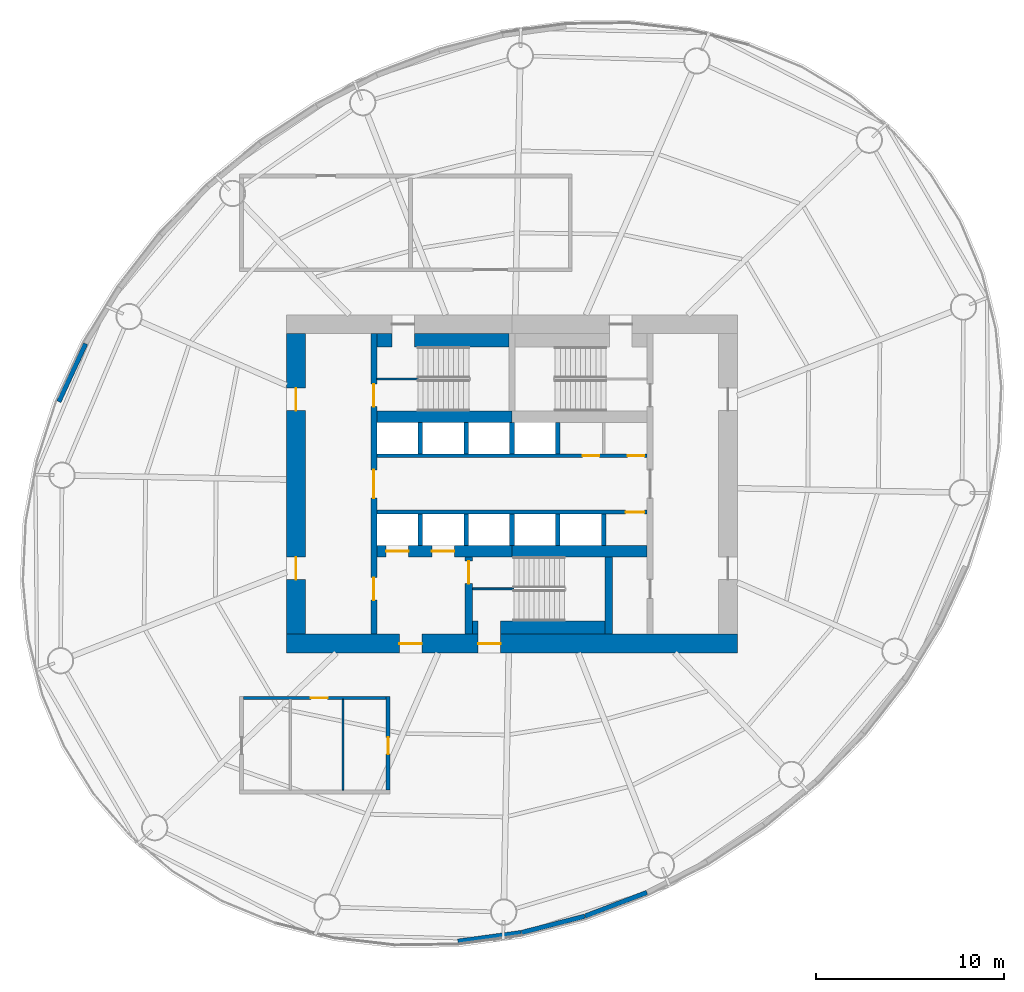
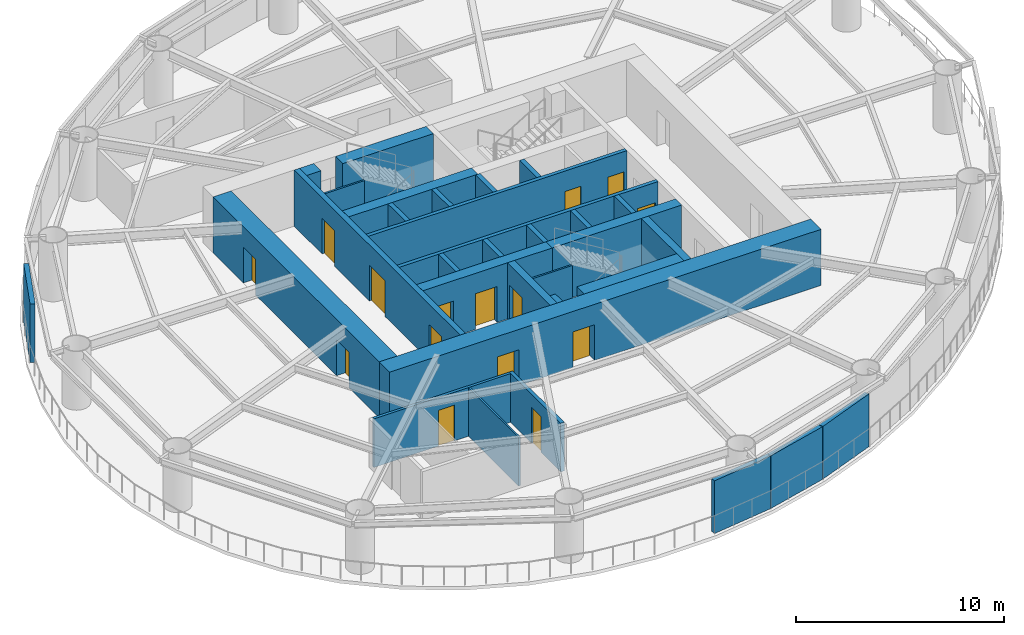
# One storey, part 3 of 8: 32 walls, 15 doors, 15 openings.
"""IFC4 building model written with IfcOpenShell, lengths in metres."""

from ifc_helpers import new_model, si_unit, direction, frame, frame_2d, origin, place, context, subcontext, project, spatial, rectangle, extrude, material, layer, layer_set, type_object, element, fill, save


model = new_model("IFC4")

# Units and contexts
model_context = context("Model", 3, precision=1e-05, world=origin(), true_north=direction((0.0, 1.0)))
body_context = subcontext(model_context, "Body", "Model", "MODEL_VIEW")
ifc_project = project(units=[si_unit("LENGTHUNIT", "METRE"), si_unit("AREAUNIT", "SQUARE_METRE"), si_unit("VOLUMEUNIT", "CUBIC_METRE"), si_unit("PLANEANGLEUNIT", "RADIAN"), si_unit("MASSUNIT", "GRAM", prefix="KILO")], contexts=[model_context])

# Site, building, storey
site_placement = place(None, origin())
site = spatial("IfcSite", under=ifc_project, at=site_placement, CompositionType="ELEMENT")
building_placement = place(site_placement, origin())
building = spatial("IfcBuilding", under=site, at=building_placement, Name="Vermilion Reach Broadcast Tower", CompositionType="ELEMENT")
storey_placement = place(building_placement, frame((0.0, 0.0, 179.39990234375)))
storey = spatial("IfcBuildingStorey", under=building, at=storey_placement, Name="L43", CompositionType="ELEMENT", Elevation=179.39990234375)

# Wall, openings, doors
ifc_material_1 = material(Name="Concrete C70", Category="concrete")
ifc_layer_1 = layer(ifc_material_1, 0.300048828125)
ifc_layer_set_1 = layer_set([ifc_layer_1], Name="Core inner wall 300 mm Concrete C70")
wall_type_1 = type_object("IfcWallType", Name="Core inner wall 300 mm Concrete C70", PredefinedType="SHEAR", material=ifc_layer_set_1)
wall_1_placement = place(storey_placement, frame((-13.35009765625, 8.0, 0.0), z_axis=(0.0, 0.0, 1.0), x_axis=(0.0, -1.0, 0.0)))
wall_1 = element("IfcWall", 1, at=wall_1_placement, inside=storey, type_object=wall_type_1, Name="L43 core wall ewW", PredefinedType="SHEAR", context=body_context, shape_type="SweptSolid", body=[
    extrude(rectangle(XDim=16.0, YDim=0.300048828125, at=frame_2d((8.0, 0.0))), origin(), (0.0, 0.0, 1.0), 3.300048828125),
])
opening_1_placement = place(wall_1_placement, frame((2.68994140625, 0.0, 0.0)))
opening_1 = element("IfcOpeningElement", 2, at=opening_1_placement, cuts=wall_1, Name="Opening D01", PredefinedType="OPENING", context=body_context, shape_type="SweptSolid", body=[
    extrude(rectangle(XDim=1.199951171875, YDim=2.10009765625, at=frame_2d((0.60009765625, 1.050048828125))), frame((0.0, 0.159912109375, 0.0), z_axis=(0.0, -1.0, 0.0), x_axis=(1.0, 0.0, 0.0)), (0.0, 0.0, 1.0), 0.320068359375),
])
opening_2_placement = place(wall_1_placement, frame((12.989990234375, 0.0, 0.0)))
opening_2 = element("IfcOpeningElement", 3, at=opening_2_placement, cuts=wall_1, Name="Opening D02", PredefinedType="OPENING", context=body_context, shape_type="SweptSolid", body=[
    extrude(rectangle(XDim=1.199951171875, YDim=2.10009765625, at=frame_2d((0.60009765625, 1.050048828125))), frame((0.0, 0.159912109375, 0.0), z_axis=(0.0, -1.0, 0.0), x_axis=(1.0, 0.0, 0.0)), (0.0, 0.0, 1.0), 0.320068359375),
])
opening_3_placement = place(wall_1_placement, frame((7.25, 0.0, 0.0)))
opening_3 = element("IfcOpeningElement", 4, at=opening_3_placement, cuts=wall_1, Name="Opening D04", PredefinedType="OPENING", context=body_context, shape_type="SweptSolid", body=[
    extrude(rectangle(XDim=1.5, YDim=2.10009765625, at=frame_2d((0.75, 1.050048828125))), frame((0.0, 0.159912109375, 0.0), z_axis=(0.0, -1.0, 0.0), x_axis=(1.0, 0.0, 0.0)), (0.0, 0.0, 1.0), 0.320068359375),
])
ifc_material_2 = material(Name="Painted steel fire door", Category="steel")
door_type_1 = type_object("IfcDoorType", Name="Firefighting lobby door 1200 x 2100", OperationType="DOUBLE_DOOR_SINGLE_SWING", PredefinedType="NOTDEFINED", material=ifc_material_2)
door_1_placement = place(opening_2_placement, origin())
door_1 = element("IfcDoor", 5, at=door_1_placement, inside=storey, type_object=door_type_1, Name="L43 ffdoor door FFW", OperationType="DOUBLE_DOOR_SINGLE_SWING", OverallHeight=2.10009765625, OverallWidth=1.199951171875, PredefinedType="NOTDEFINED", context=body_context, shape_type="SweptSolid", body=[
    extrude(rectangle(XDim=1.199951171875, YDim=2.10009765625, at=frame_2d((0.60009765625, 1.050048828125))), frame((0.0, 0.02490234375, 0.0), z_axis=(0.0, -1.0, 0.0), x_axis=(1.0, 0.0, 0.0)), (0.0, 0.0, 1.0), 0.050048828125),
])
fill(opening_2, door_1)
ifc_material_3 = material(Name="Painted steel fire door", Category="steel")
door_type_2 = type_object("IfcDoorType", Name="Lift lobby door 1500 x 2100", OperationType="DOUBLE_DOOR_SINGLE_SWING", PredefinedType="NOTDEFINED", material=ifc_material_3)
door_2_placement = place(opening_3_placement, origin())
door_2 = element("IfcDoor", 6, at=door_2_placement, inside=storey, type_object=door_type_2, Name="L43 band door BW", OperationType="DOUBLE_DOOR_SINGLE_SWING", OverallHeight=2.10009765625, OverallWidth=1.5, PredefinedType="NOTDEFINED", context=body_context, shape_type="SweptSolid", body=[
    extrude(rectangle(XDim=1.5, YDim=2.10009765625, at=frame_2d((0.75, 1.050048828125))), frame((0.0, 0.02490234375, 0.0), z_axis=(0.0, -1.0, 0.0), x_axis=(1.0, 0.0, 0.0)), (0.0, 0.0, 1.0), 0.050048828125),
])
fill(opening_3, door_2)
ifc_material_4 = material(Name="Painted steel fire door", Category="steel")
door_type_3 = type_object("IfcDoorType", Name="Stair door 1200 x 2100", OperationType="DOUBLE_DOOR_SINGLE_SWING", PredefinedType="NOTDEFINED", material=ifc_material_4)
door_3_placement = place(opening_1_placement, origin())
door_3 = element("IfcDoor", 7, at=door_3_placement, inside=storey, type_object=door_type_3, Name="L43 stair door ST1 departure", OperationType="DOUBLE_DOOR_SINGLE_SWING", OverallHeight=2.10009765625, OverallWidth=1.199951171875, PredefinedType="NOTDEFINED", context=body_context, shape_type="SweptSolid", body=[
    extrude(rectangle(XDim=1.199951171875, YDim=2.10009765625, at=frame_2d((0.60009765625, 1.050048828125))), frame((0.0, 0.02490234375, 0.0), z_axis=(0.0, -1.0, 0.0), x_axis=(1.0, 0.0, 0.0)), (0.0, 0.0, 1.0), 0.050048828125),
])
fill(opening_1, door_3)

# Wall, opening, door
ifc_material_5 = material(Name="Concrete C70", Category="concrete")
ifc_layer_2 = layer(ifc_material_5, 0.39990234375)
ifc_layer_set_2 = layer_set([ifc_layer_2], Name="Core inner wall 400 mm Concrete C70")
wall_type_2 = type_object("IfcWallType", Name="Core inner wall 400 mm Concrete C70", PredefinedType="SHEAR", material=ifc_layer_set_2)
wall_2_placement = place(storey_placement, frame((-8.300048828125, -3.8798828125, 0.0), z_axis=(0.0, 0.0, 1.0), x_axis=(0.0, -1.0, 0.0)))
wall_2 = element("IfcWall", 8, at=wall_2_placement, inside=storey, type_object=wall_type_2, Name="L43 core wall wa", PredefinedType="SHEAR", context=body_context, shape_type="SweptSolid", body=[
    extrude(rectangle(XDim=4.1201171875, YDim=0.39990234375, at=frame_2d((2.06005859375, 0.0))), origin(), (0.0, 0.0, 1.0), 3.300048828125),
])
opening_4_placement = place(wall_2_placement, frame((0.22998046875, 0.0, 0.0)))
opening_4 = element("IfcOpeningElement", 9, at=opening_4_placement, cuts=wall_2, Name="Opening D01", PredefinedType="OPENING", context=body_context, shape_type="SweptSolid", body=[
    extrude(rectangle(XDim=1.199951171875, YDim=2.10009765625, at=frame_2d((0.60009765625, 1.050048828125))), frame((0.0, 0.2099609375, 0.0), z_axis=(0.0, -1.0, 0.0), x_axis=(1.0, 0.0, 0.0)), (0.0, 0.0, 1.0), 0.419921875),
])
door_4_placement = place(opening_4_placement, origin())
door_4 = element("IfcDoor", 10, at=door_4_placement, inside=storey, type_object=door_type_3, Name="L43 stair door ST3 arrival", OperationType="DOUBLE_DOOR_SINGLE_SWING", OverallHeight=2.10009765625, OverallWidth=1.199951171875, PredefinedType="NOTDEFINED", context=body_context, shape_type="SweptSolid", body=[
    extrude(rectangle(XDim=1.199951171875, YDim=2.10009765625, at=frame_2d((0.60009765625, 1.050048828125))), frame((0.0, 0.02490234375, 0.0), z_axis=(0.0, -1.0, 0.0), x_axis=(1.0, 0.0, 0.0)), (0.0, 0.0, 1.0), 0.050048828125),
])
fill(opening_4, door_4)

# Walls
wall_3_placement = place(storey_placement, frame((-0.85009765625, -3.8798828125, 0.0), z_axis=(0.0, 0.0, 1.0), x_axis=(0.0, -1.0, 0.0)))
element("IfcWall", 11, at=wall_3_placement, inside=storey, type_object=wall_type_2, Name="L43 core wall wb", PredefinedType="SHEAR", context=body_context, shape_type="SweptSolid", body=[
    extrude(rectangle(XDim=4.1201171875, YDim=0.39990234375, at=frame_2d((2.06005859375, 0.0))), origin(), (0.0, 0.0, 1.0), 3.300048828125),
])
ifc_material_6 = material(Name="Concrete C70", Category="concrete")
ifc_layer_3 = layer(ifc_material_6, 0.60009765625)
ifc_layer_set_3 = layer_set([ifc_layer_3], Name="Core inner wall 600 mm Concrete C70")
wall_type_3 = type_object("IfcWallType", Name="Core inner wall 600 mm Concrete C70", PredefinedType="SHEAR", material=ifc_layer_set_3)
wall_4_placement = place(storey_placement, frame((-13.199951171875, 3.580078125, 0.0), z_axis=(0.0, 0.0, 1.0), x_axis=(1.0, 0.0, 0.0)))
element("IfcWall", 12, at=wall_4_placement, inside=storey, type_object=wall_type_3, Name="L43 core wall winW", PredefinedType="SHEAR", context=body_context, shape_type="SweptSolid", body=[
    extrude(rectangle(XDim=7.199951171875, YDim=0.60009765625, at=frame_2d((3.60009765625, 0.0))), origin(), (0.0, 0.0, 1.0), 3.300048828125),
])

# Wall, openings, doors
wall_5_placement = place(storey_placement, frame((-13.199951171875, -3.580078125, 0.0), z_axis=(0.0, 0.0, 1.0), x_axis=(1.0, 0.0, 0.0)))
wall_5 = element("IfcWall", 13, at=wall_5_placement, inside=storey, type_object=wall_type_3, Name="L43 core wall wisW", PredefinedType="SHEAR", context=body_context, shape_type="SweptSolid", body=[
    extrude(rectangle(XDim=7.199951171875, YDim=0.60009765625, at=frame_2d((3.60009765625, 0.0))), origin(), (0.0, 0.0, 1.0), 3.300048828125),
])
opening_5_placement = place(wall_5_placement, frame((0.495849609375, 0.0, 0.0)))
opening_5 = element("IfcOpeningElement", 14, at=opening_5_placement, cuts=wall_5, Name="Opening D08", PredefinedType="OPENING", context=body_context, shape_type="SweptSolid", body=[
    extrude(rectangle(XDim=1.199951171875, YDim=2.10009765625, at=frame_2d((0.60009765625, 1.050048828125))), frame((0.0, 0.31005859375, 0.0), z_axis=(0.0, -1.0, 0.0), x_axis=(1.0, 0.0, 0.0)), (0.0, 0.0, 1.0), 0.6201171875),
])
opening_6_placement = place(wall_5_placement, frame((2.9375, 0.0, 0.0)))
opening_6 = element("IfcOpeningElement", 15, at=opening_6_placement, cuts=wall_5, Name="Opening D08", PredefinedType="OPENING", context=body_context, shape_type="SweptSolid", body=[
    extrude(rectangle(XDim=1.199951171875, YDim=2.10009765625, at=frame_2d((0.60009765625, 1.050048828125))), frame((0.0, 0.31005859375, 0.0), z_axis=(0.0, -1.0, 0.0), x_axis=(1.0, 0.0, 0.0)), (0.0, 0.0, 1.0), 0.6201171875),
])
ifc_material_7 = material(Name="Stainless steel", Category="steel")
door_type_4 = type_object("IfcDoorType", Name="Firefighting lift landing door, locked in normal use 1200 x 2100", OperationType="DOUBLE_DOOR_SLIDING", PredefinedType="NOTDEFINED", material=ifc_material_7)
door_5_placement = place(opening_5_placement, origin())
door_5 = element("IfcDoor", 16, at=door_5_placement, inside=storey, type_object=door_type_4, Name="L43 firefighting lift landing door FF1 (locked in normal use)", OperationType="DOUBLE_DOOR_SLIDING", OverallHeight=2.10009765625, OverallWidth=1.199951171875, PredefinedType="NOTDEFINED", context=body_context, shape_type="SweptSolid", body=[
    extrude(rectangle(XDim=1.199951171875, YDim=2.10009765625, at=frame_2d((0.60009765625, 1.050048828125))), frame((0.0, 0.02490234375, 0.0), z_axis=(0.0, -1.0, 0.0), x_axis=(1.0, 0.0, 0.0)), (0.0, 0.0, 1.0), 0.050048828125),
])
fill(opening_5, door_5)
door_6_placement = place(opening_6_placement, origin())
door_6 = element("IfcDoor", 17, at=door_6_placement, inside=storey, type_object=door_type_4, Name="L43 firefighting lift landing door FF2 (locked in normal use)", OperationType="DOUBLE_DOOR_SLIDING", OverallHeight=2.10009765625, OverallWidth=1.199951171875, PredefinedType="NOTDEFINED", context=body_context, shape_type="SweptSolid", body=[
    extrude(rectangle(XDim=1.199951171875, YDim=2.10009765625, at=frame_2d((0.60009765625, 1.050048828125))), frame((0.0, 0.02490234375, 0.0), z_axis=(0.0, -1.0, 0.0), x_axis=(1.0, 0.0, 0.0)), (0.0, 0.0, 1.0), 0.050048828125),
])
fill(opening_6, door_6)

# Wall
wall_6_placement = place(storey_placement, frame((-6.0, -3.580078125, 0.0), z_axis=(0.0, 0.0, 1.0), x_axis=(1.0, 0.0, 0.0)))
element("IfcWall", 18, at=wall_6_placement, inside=storey, type_object=wall_type_3, Name="L43 core wall wisE", PredefinedType="SHEAR", context=body_context, shape_type="SweptSolid", body=[
    extrude(rectangle(XDim=7.199951171875, YDim=0.60009765625, at=frame_2d((3.60009765625, 0.0))), origin(), (0.0, 0.0, 1.0), 3.300048828125),
])

# Wall, openings, doors
ifc_material_8 = material(Name="Concrete C70", Category="concrete")
ifc_layer_4 = layer(ifc_material_8, 1.0)
ifc_layer_set_4 = layer_set([ifc_layer_4], Name="Core outer wall 1000 mm Concrete C70")
wall_type_4 = type_object("IfcWallType", Name="Core outer wall 1000 mm Concrete C70", PredefinedType="SHEAR", material=ifc_layer_set_4)
wall_7_placement = place(storey_placement, frame((-18.0, -8.5, 0.0), z_axis=(0.0, 0.0, 1.0), x_axis=(1.0, 0.0, 0.0)))
wall_7 = element("IfcWall", 19, at=wall_7_placement, inside=storey, type_object=wall_type_4, Name="L43 core wall os", PredefinedType="SHEAR", context=body_context, shape_type="SweptSolid", body=[
    extrude(rectangle(XDim=24.0, YDim=1.0, at=frame_2d((12.0, 0.0))), origin(), (0.0, 0.0, 1.0), 3.300048828125),
])
opening_7_placement = place(wall_7_placement, frame((10.199951171875, 0.0, 0.0)))
opening_7 = element("IfcOpeningElement", 20, at=opening_7_placement, cuts=wall_7, Name="Opening D01", PredefinedType="OPENING", context=body_context, shape_type="SweptSolid", body=[
    extrude(rectangle(XDim=1.199951171875, YDim=2.10009765625, at=frame_2d((0.60009765625, 1.050048828125))), frame((0.0, 0.510009765625, 0.0), z_axis=(0.0, -1.0, 0.0), x_axis=(1.0, 0.0, 0.0)), (0.0, 0.0, 1.0), 1.02001953125),
])
opening_8_placement = place(wall_7_placement, frame((6.0, 0.0, 0.0)))
opening_8 = element("IfcOpeningElement", 21, at=opening_8_placement, cuts=wall_7, Name="Opening D02", PredefinedType="OPENING", context=body_context, shape_type="SweptSolid", body=[
    extrude(rectangle(XDim=1.199951171875, YDim=2.10009765625, at=frame_2d((0.60009765625, 1.050048828125))), frame((0.0, 0.510009765625, 0.0), z_axis=(0.0, -1.0, 0.0), x_axis=(1.0, 0.0, 0.0)), (0.0, 0.0, 1.0), 1.02001953125),
])
door_7_placement = place(opening_8_placement, origin())
door_7 = element("IfcDoor", 22, at=door_7_placement, inside=storey, type_object=door_type_1, Name="L43 ffdoor door FFL", OperationType="DOUBLE_DOOR_SINGLE_SWING", OverallHeight=2.10009765625, OverallWidth=1.199951171875, PredefinedType="NOTDEFINED", context=body_context, shape_type="SweptSolid", body=[
    extrude(rectangle(XDim=1.199951171875, YDim=2.10009765625, at=frame_2d((0.60009765625, 1.050048828125))), frame((0.0, 0.02490234375, 0.0), z_axis=(0.0, -1.0, 0.0), x_axis=(1.0, 0.0, 0.0)), (0.0, 0.0, 1.0), 0.050048828125),
])
fill(opening_8, door_7)
door_8_placement = place(opening_7_placement, origin())
door_8 = element("IfcDoor", 23, at=door_8_placement, inside=storey, type_object=door_type_3, Name="L43 stair door ST3 departure", OperationType="DOUBLE_DOOR_SINGLE_SWING", OverallHeight=2.10009765625, OverallWidth=1.199951171875, PredefinedType="NOTDEFINED", context=body_context, shape_type="SweptSolid", body=[
    extrude(rectangle(XDim=1.199951171875, YDim=2.10009765625, at=frame_2d((0.60009765625, 1.050048828125))), frame((0.0, 0.02490234375, 0.0), z_axis=(0.0, -1.0, 0.0), x_axis=(1.0, 0.0, 0.0)), (0.0, 0.0, 1.0), 0.050048828125),
])
fill(opening_7, door_8)

wall_8_placement = place(storey_placement, frame((-17.5, 8.0, 0.0), z_axis=(0.0, 0.0, 1.0), x_axis=(0.0, -1.0, 0.0)))
wall_8 = element("IfcWall", 24, at=wall_8_placement, inside=storey, type_object=wall_type_4, Name="L43 core wall ow", PredefinedType="SHEAR", context=body_context, shape_type="SweptSolid", body=[
    extrude(rectangle(XDim=16.0, YDim=1.0, at=frame_2d((8.0, 0.0))), origin(), (0.0, 0.0, 1.0), 3.300048828125),
])
opening_9_placement = place(wall_8_placement, frame((11.89990234375, 0.0, 0.0)))
opening_9 = element("IfcOpeningElement", 25, at=opening_9_placement, cuts=wall_8, Name="Opening D03", PredefinedType="OPENING", context=body_context, shape_type="SweptSolid", body=[
    extrude(rectangle(XDim=1.199951171875, YDim=2.10009765625, at=frame_2d((0.60009765625, 1.050048828125))), frame((0.0, 0.510009765625, 0.0), z_axis=(0.0, -1.0, 0.0), x_axis=(1.0, 0.0, 0.0)), (0.0, 0.0, 1.0), 1.02001953125),
])
opening_10_placement = place(wall_8_placement, frame((2.89990234375, 0.0, 0.0)))
opening_10 = element("IfcOpeningElement", 26, at=opening_10_placement, cuts=wall_8, Name="Opening D03", PredefinedType="OPENING", context=body_context, shape_type="SweptSolid", body=[
    extrude(rectangle(XDim=1.199951171875, YDim=2.10009765625, at=frame_2d((0.60009765625, 1.050048828125))), frame((0.0, 0.510009765625, 0.0), z_axis=(0.0, -1.0, 0.0), x_axis=(1.0, 0.0, 0.0)), (0.0, 0.0, 1.0), 1.02001953125),
])
ifc_material_9 = material(Name="Painted steel fire door", Category="steel")
door_type_5 = type_object("IfcDoorType", Name="Core lobby door 1200 x 2100", OperationType="DOUBLE_DOOR_SINGLE_SWING", PredefinedType="NOTDEFINED", material=ifc_material_9)
door_9_placement = place(opening_9_placement, origin())
door_9 = element("IfcDoor", 27, at=door_9_placement, inside=storey, type_object=door_type_5, Name="L43 slot door W0", OperationType="DOUBLE_DOOR_SINGLE_SWING", OverallHeight=2.10009765625, OverallWidth=1.199951171875, PredefinedType="NOTDEFINED", context=body_context, shape_type="SweptSolid", body=[
    extrude(rectangle(XDim=1.199951171875, YDim=2.10009765625, at=frame_2d((0.60009765625, 1.050048828125))), frame((0.0, 0.02490234375, 0.0), z_axis=(0.0, -1.0, 0.0), x_axis=(1.0, 0.0, 0.0)), (0.0, 0.0, 1.0), 0.050048828125),
])
fill(opening_9, door_9)
door_10_placement = place(opening_10_placement, origin())
door_10 = element("IfcDoor", 28, at=door_10_placement, inside=storey, type_object=door_type_5, Name="L43 slot door W1", OperationType="DOUBLE_DOOR_SINGLE_SWING", OverallHeight=2.10009765625, OverallWidth=1.199951171875, PredefinedType="NOTDEFINED", context=body_context, shape_type="SweptSolid", body=[
    extrude(rectangle(XDim=1.199951171875, YDim=2.10009765625, at=frame_2d((0.60009765625, 1.050048828125))), frame((0.0, 0.02490234375, 0.0), z_axis=(0.0, -1.0, 0.0), x_axis=(1.0, 0.0, 0.0)), (0.0, 0.0, 1.0), 0.050048828125),
])
fill(opening_10, door_10)

ifc_material_10 = material(Name="Concrete C50", Category="concrete")
ifc_layer_5 = layer(ifc_material_10, 0.199951171875)
ifc_layer_set_5 = layer_set([ifc_layer_5], Name="Core shaft wall 200 mm Concrete C50")
wall_type_5 = type_object("IfcWallType", Name="Core shaft wall 200 mm Concrete C50", PredefinedType="SHEAR", material=ifc_layer_set_5)
wall_9_placement = place(storey_placement, frame((-13.199951171875, 1.5, 0.0), z_axis=(0.0, 0.0, 1.0), x_axis=(1.0, 0.0, 0.0)))
wall_9 = element("IfcWall", 29, at=wall_9_placement, inside=storey, type_object=wall_type_5, Name="L43 core wall fn", PredefinedType="SHEAR", context=body_context, shape_type="SweptSolid", body=[
    extrude(rectangle(XDim=14.39990234375, YDim=0.199951171875, at=frame_2d((7.199951171875, 0.0))), origin(), (0.0, 0.0, 1.0), 3.300048828125),
])
opening_11_placement = place(wall_9_placement, frame((10.958251953125, 0.0, 0.0)))
opening_11 = element("IfcOpeningElement", 30, at=opening_11_placement, cuts=wall_9, Name="Opening D06", PredefinedType="OPENING", context=body_context, shape_type="SweptSolid", body=[
    extrude(rectangle(XDim=0.89990234375, YDim=2.10009765625, at=frame_2d((0.449951171875, 1.050048828125))), frame((0.0, 0.10986328125, 0.0), z_axis=(0.0, -1.0, 0.0), x_axis=(1.0, 0.0, 0.0)), (0.0, 0.0, 1.0), 0.219970703125),
])
opening_12_placement = place(wall_9_placement, frame((13.35009765625, 0.0, 0.0)))
opening_12 = element("IfcOpeningElement", 31, at=opening_12_placement, cuts=wall_9, Name="Opening D06", PredefinedType="OPENING", context=body_context, shape_type="SweptSolid", body=[
    extrude(rectangle(XDim=0.89990234375, YDim=2.10009765625, at=frame_2d((0.449951171875, 1.050048828125))), frame((0.0, 0.10986328125, 0.0), z_axis=(0.0, -1.0, 0.0), x_axis=(1.0, 0.0, 0.0)), (0.0, 0.0, 1.0), 0.219970703125),
])
ifc_material_11 = material(Name="Timber door", Category="wood")
door_type_6 = type_object("IfcDoorType", Name="WC door 900 x 2100", OperationType="NOTDEFINED", PredefinedType="NOTDEFINED", material=ifc_material_11)
door_11_placement = place(opening_11_placement, origin())
door_11 = element("IfcDoor", 32, at=door_11_placement, inside=storey, type_object=door_type_6, Name="L43 door Female WC", OperationType="SINGLE_SWING_RIGHT", OverallHeight=2.10009765625, OverallWidth=0.89990234375, PredefinedType="NOTDEFINED", context=body_context, shape_type="SweptSolid", body=[
    extrude(rectangle(XDim=0.89990234375, YDim=2.10009765625, at=frame_2d((0.449951171875, 1.050048828125))), frame((0.0, 0.02490234375, 0.0), z_axis=(0.0, -1.0, 0.0), x_axis=(1.0, 0.0, 0.0)), (0.0, 0.0, 1.0), 0.050048828125),
])
fill(opening_11, door_11)
door_12_placement = place(opening_12_placement, origin())
door_12 = element("IfcDoor", 33, at=door_12_placement, inside=storey, type_object=door_type_6, Name="L43 door Male WC", OperationType="SINGLE_SWING_RIGHT", OverallHeight=2.10009765625, OverallWidth=0.89990234375, PredefinedType="NOTDEFINED", context=body_context, shape_type="SweptSolid", body=[
    extrude(rectangle(XDim=0.89990234375, YDim=2.10009765625, at=frame_2d((0.449951171875, 1.050048828125))), frame((0.0, 0.02490234375, 0.0), z_axis=(0.0, -1.0, 0.0), x_axis=(1.0, 0.0, 0.0)), (0.0, 0.0, 1.0), 0.050048828125),
])
fill(opening_12, door_12)

# Wall, opening, door
wall_10_placement = place(storey_placement, frame((1.199951171875, -1.5, 0.0), z_axis=(0.0, 0.0, 1.0), x_axis=(-1.0, 0.0, 0.0)))
wall_10 = element("IfcWall", 34, at=wall_10_placement, inside=storey, type_object=wall_type_5, Name="L43 core wall fs", PredefinedType="SHEAR", context=body_context, shape_type="SweptSolid", body=[
    extrude(rectangle(XDim=14.39990234375, YDim=0.199951171875, at=frame_2d((7.199951171875, 0.0))), origin(), (0.0, 0.0, 1.0), 3.300048828125),
])
opening_13_placement = place(wall_10_placement, frame((0.14990234375, 0.0, 0.0)))
opening_13 = element("IfcOpeningElement", 35, at=opening_13_placement, cuts=wall_10, Name="Opening D07", PredefinedType="OPENING", context=body_context, shape_type="SweptSolid", body=[
    extrude(rectangle(XDim=1.0, YDim=2.10009765625, at=frame_2d((0.5, 1.050048828125))), frame((0.0, 0.10986328125, 0.0), z_axis=(0.0, -1.0, 0.0), x_axis=(1.0, 0.0, 0.0)), (0.0, 0.0, 1.0), 0.219970703125),
])
ifc_material_12 = material(Name="Timber door", Category="wood")
door_type_7 = type_object("IfcDoorType", Name="Accessible WC door 1000 x 2100", OperationType="NOTDEFINED", PredefinedType="NOTDEFINED", material=ifc_material_12)
door_13_placement = place(opening_13_placement, origin())
door_13 = element("IfcDoor", 36, at=door_13_placement, inside=storey, type_object=door_type_7, Name="L43 door Accessible WC", OperationType="SINGLE_SWING_LEFT", OverallHeight=2.10009765625, OverallWidth=1.0, PredefinedType="NOTDEFINED", context=body_context, shape_type="SweptSolid", body=[
    extrude(rectangle(XDim=1.0, YDim=2.10009765625, at=frame_2d((0.5, 1.050048828125))), frame((0.0, 0.02490234375, 0.0), z_axis=(0.0, -1.0, 0.0), x_axis=(1.0, 0.0, 0.0)), (0.0, 0.0, 1.0), 0.050048828125),
])
fill(opening_13, door_13)

# Walls
ifc_material_13 = material(Name="Concrete C50", Category="concrete")
ifc_layer_6 = layer(ifc_material_13, 0.25)
ifc_layer_set_6 = layer_set([ifc_layer_6], Name="Core shaft wall 250 mm Concrete C50")
wall_type_6 = type_object("IfcWallType", Name="Core shaft wall 250 mm Concrete C50", PredefinedType="SHEAR", material=ifc_layer_set_6)
for number, where, z_axis, x_axis, name in (
    (37, (-10.88330078125, 1.60009765625, 0.0), (0.0, 0.0, 1.0), (0.0, 1.0, 0.0), "L43 core wall psN0"),
    (38, (-8.441650390625, 1.60009765625, 0.0), (0.0, 0.0, 1.0), (0.0, 1.0, 0.0), "L43 core wall psN1"),
    (39, (-6.0, 1.60009765625, 0.0), (0.0, 0.0, 1.0), (0.0, 1.0, 0.0), "L43 core wall psN2"),
    (40, (-3.558349609375, 1.60009765625, 0.0), (0.0, 0.0, 1.0), (0.0, 1.0, 0.0), "L43 core wall psN3"),
    (41, (-10.88330078125, -1.60009765625, 0.0), (0.0, 0.0, 1.0), (0.0, -1.0, 0.0), "L43 core wall psS0"),
    (42, (-8.441650390625, -1.60009765625, 0.0), (0.0, 0.0, 1.0), (0.0, -1.0, 0.0), "L43 core wall psS1"),
    (43, (-6.0, -1.60009765625, 0.0), (0.0, 0.0, 1.0), (0.0, -1.0, 0.0), "L43 core wall psS2"),
    (44, (-3.558349609375, -1.60009765625, 0.0), (0.0, 0.0, 1.0), (0.0, -1.0, 0.0), "L43 core wall psS3"),
    (45, (-1.11669921875, -1.60009765625, 0.0), (0.0, 0.0, 1.0), (0.0, -1.0, 0.0), "L43 core wall psS4"),
):
    element("IfcWall", number, at=place(storey_placement, frame(where, z_axis=z_axis, x_axis=x_axis)), inside=storey, type_object=wall_type_6, Name=name, PredefinedType="SHEAR", context=body_context, shape_type="SweptSolid", body=[
        extrude(rectangle(XDim=1.679931640625, YDim=0.25, at=frame_2d((0.83984375, 0.0))), origin(), (0.0, 0.0, 1.0), 3.300048828125),
    ])
ifc_material_14 = material(Name="Concrete C70", Category="concrete")
ifc_layer_7 = layer(ifc_material_14, 0.10009765625)
ifc_layer_set_7 = layer_set([ifc_layer_7], Name="Core stair wall 100 mm Concrete C70")
wall_type_7 = type_object("IfcWallType", Name="Core stair wall 100 mm Concrete C70", PredefinedType="SHEAR", material=ifc_layer_set_7)
wall_11_placement = place(storey_placement, frame((-13.199951171875, 5.590087890625, 0.0), z_axis=(0.0, 0.0, 1.0), x_axis=(1.0, 0.0, 0.0)))
element("IfcWall", 46, at=wall_11_placement, inside=storey, type_object=wall_type_7, Name="L43 core wall dv1", PredefinedType="SHEAR", context=body_context, shape_type="SweptSolid", body=[
    extrude(rectangle(XDim=2.199951171875, YDim=0.10009765625, at=frame_2d((1.10009765625, 0.0))), origin(), (0.0, 0.0, 1.0), 3.300048828125),
])
wall_12_placement = place(storey_placement, frame((-8.10009765625, -5.590087890625, 0.0), z_axis=(0.0, 0.0, 1.0), x_axis=(1.0, 0.0, 0.0)))
element("IfcWall", 47, at=wall_12_placement, inside=storey, type_object=wall_type_7, Name="L43 core wall dv3", PredefinedType="SHEAR", context=body_context, shape_type="SweptSolid", body=[
    extrude(rectangle(XDim=2.2001953125, YDim=0.10009765625, at=frame_2d((1.10009765625, 0.0))), origin(), (0.0, 0.0, 1.0), 3.300048828125),
])
ifc_material_15 = material(Name="Concrete C70", Category="concrete")
ifc_layer_8 = layer(ifc_material_15, 0.699951171875)
ifc_layer_set_8 = layer_set([ifc_layer_8], Name="Core stair wall 700 mm Concrete C70")
wall_type_8 = type_object("IfcWallType", Name="Core stair wall 700 mm Concrete C70", PredefinedType="SHEAR", material=ifc_layer_set_8)
wall_13_placement = place(storey_placement, frame((-13.199951171875, 7.64990234375, 0.0), z_axis=(0.0, 0.0, 1.0), x_axis=(1.0, 0.0, 0.0)))
element("IfcWall", 48, at=wall_13_placement, inside=storey, type_object=wall_type_8, Name="L43 core wall l1a", PredefinedType="SHEAR", context=body_context, shape_type="SweptSolid", body=[
    extrude(rectangle(XDim=0.800048828125, YDim=0.699951171875, at=frame_2d((0.39990234375, 0.0))), origin(), (0.0, 0.0, 1.0), 3.300048828125),
])
wall_14_placement = place(storey_placement, frame((-11.199951171875, 7.64990234375, 0.0), z_axis=(0.0, 0.0, 1.0), x_axis=(1.0, 0.0, 0.0)))
element("IfcWall", 49, at=wall_14_placement, inside=storey, type_object=wall_type_8, Name="L43 core wall l1b", PredefinedType="SHEAR", context=body_context, shape_type="SweptSolid", body=[
    extrude(rectangle(XDim=5.050048828125, YDim=0.699951171875, at=frame_2d((2.52490234375, 0.0))), origin(), (0.0, 0.0, 1.0), 3.300048828125),
])
wall_15_placement = place(storey_placement, frame((-8.10009765625, -7.64990234375, 0.0), z_axis=(0.0, 0.0, 1.0), x_axis=(1.0, 0.0, 0.0)))
element("IfcWall", 50, at=wall_15_placement, inside=storey, type_object=wall_type_8, Name="L43 core wall l3a", PredefinedType="SHEAR", context=body_context, shape_type="SweptSolid", body=[
    extrude(rectangle(XDim=0.300048828125, YDim=0.699951171875, at=frame_2d((0.14990234375, 0.0))), origin(), (0.0, 0.0, 1.0), 3.300048828125),
])
wall_16_placement = place(storey_placement, frame((-6.60009765625, -7.64990234375, 0.0), z_axis=(0.0, 0.0, 1.0), x_axis=(1.0, 0.0, 0.0)))
element("IfcWall", 51, at=wall_16_placement, inside=storey, type_object=wall_type_8, Name="L43 core wall l3b", PredefinedType="SHEAR", context=body_context, shape_type="SweptSolid", body=[
    extrude(rectangle(XDim=5.550048828125, YDim=0.699951171875, at=frame_2d((2.77490234375, 0.0))), origin(), (0.0, 0.0, 1.0), 3.300048828125),
])

# Wall, opening, door
ifc_material_16 = material(Name="Gypsum board partition")
ifc_layer_9 = layer(ifc_material_16, 0.14990234375)
ifc_layer_set_9 = layer_set([ifc_layer_9], Name="Corridor wall 150")
wall_type_9 = type_object("IfcWallType", Name="Corridor wall 150", PredefinedType="PARTITIONING", material=ifc_layer_set_9)
wall_17_placement = place(storey_placement, frame((-20.300048828125, -11.39990234375, 0.0), z_axis=(0.0, 0.0, 1.0), x_axis=(1.0, 0.0, 0.0)))
wall_17 = element("IfcWall", 52, at=wall_17_placement, inside=storey, type_object=wall_type_9, Name="sp.wall.L43.001", PredefinedType="PARTITIONING", context=body_context, shape_type="SweptSolid", body=[
    extrude(rectangle(XDim=7.600341796875, YDim=0.14990234375, at=frame_2d((3.80029296875, 0.0))), origin(), (0.0, 0.0, 1.0), 2.862060546875),
])
opening_14_placement = place(wall_17_placement, frame((3.585693359375, 0.0, 0.0)))
opening_14 = element("IfcOpeningElement", 53, at=opening_14_placement, cuts=wall_17, Name="Opening D51", PredefinedType="OPENING", context=body_context, shape_type="SweptSolid", body=[
    extrude(rectangle(XDim=0.89990234375, YDim=2.10009765625, at=frame_2d((0.449951171875, 1.050048828125))), frame((0.0, 0.0849609375, 0.0), z_axis=(0.0, -1.0, 0.0), x_axis=(1.0, 0.0, 0.0)), (0.0, 0.0, 1.0), 0.169921875),
])
ifc_material_17 = material(Name="Timber and steel door set", Category="steel")
door_type_8 = type_object("IfcDoorType", Name="Door 900x2100 WC", OperationType="NOTDEFINED", PredefinedType="DOOR", material=ifc_material_17)
door_14_placement = place(opening_14_placement, origin())
door_14 = element("IfcDoor", 54, at=door_14_placement, inside=storey, type_object=door_type_8, Name="sp.door.L43.003", OperationType="SINGLE_SWING_RIGHT", OverallHeight=2.10009765625, OverallWidth=0.89990234375, PredefinedType="DOOR", context=body_context, shape_type="SweptSolid", body=[
    extrude(rectangle(XDim=0.89990234375, YDim=2.10009765625, at=frame_2d((0.449951171875, 1.050048828125))), frame((0.0, 0.02490234375, 0.0), z_axis=(0.0, -1.0, 0.0), x_axis=(1.0, 0.0, 0.0)), (0.0, 0.0, 1.0), 0.050048828125),
])
fill(opening_14, door_14)

# Walls
ifc_material_18 = material(Name="Anodised aluminium louvre cladding", Category="aluminium")
ifc_layer_10 = layer(ifc_material_18, 0.25)
ifc_layer_set_10 = layer_set([ifc_layer_10], Name="Plant louvre wall 250")
wall_type_10 = type_object("IfcWallType", Name="Plant louvre wall 250", PredefinedType="SOLIDWALL", material=ifc_layer_set_10)
wall_18_placement = place(storey_placement, frame((-28.705078125, 7.46630859375, 0.0), z_axis=(0.0, 0.0, 1.0), x_axis=(-0.419696101817, -0.90766468595, 0.0)))
element("IfcWall", 55, at=wall_18_placement, inside=storey, type_object=wall_type_10, Name="Refuge louvre wall L43 16", PredefinedType="SOLIDWALL", context=body_context, shape_type="SweptSolid", body=[
    extrude(rectangle(XDim=3.397216796875, YDim=0.25, at=frame_2d((1.69873046875, 0.0))), origin(), (0.0, 0.0, 1.0), 3.4501953125),
])
ifc_material_19 = material(Name="Anodised aluminium louvre cladding", Category="aluminium")
ifc_layer_11 = layer(ifc_material_19, 0.25)
ifc_layer_set_11 = layer_set([ifc_layer_11], Name="Plant louvre wall 250, head 350 below soffit")
wall_type_11 = type_object("IfcWallType", Name="Plant louvre wall 250, head 350 below soffit", PredefinedType="SOLIDWALL", material=ifc_layer_set_11)
wall_19_placement = place(storey_placement, frame((-8.880859375, -24.35595703125, 0.0), z_axis=(0.0, 0.0, 1.0), x_axis=(0.990801720843, 0.135321653757, 0.0)))
element("IfcWall", 56, at=wall_19_placement, inside=storey, type_object=wall_type_11, Name="Refuge louvre wall L43 31", PredefinedType="SOLIDWALL", context=body_context, shape_type="SweptSolid", body=[
    extrude(rectangle(XDim=3.397216796875, YDim=0.25, at=frame_2d((1.69873046875, 0.0))), origin(), (0.0, 0.0, 1.0), 3.10009765625),
])
wall_20_placement = place(storey_placement, frame((-5.49267578125, -23.891845703125, 0.0), z_axis=(0.0, 0.0, 1.0), x_axis=(0.968247112596, 0.249995057849, 0.0)))
element("IfcWall", 57, at=wall_20_placement, inside=storey, type_object=wall_type_11, Name="Refuge louvre wall L43 32", PredefinedType="SOLIDWALL", context=body_context, shape_type="SweptSolid", body=[
    extrude(rectangle(XDim=3.4697265625, YDim=0.25, at=frame_2d((1.73486328125, 0.0))), origin(), (0.0, 0.0, 1.0), 3.10009765625),
])
wall_21_placement = place(storey_placement, frame((-2.112060546875, -23.017578125, 0.0), z_axis=(0.0, 0.0, 1.0), x_axis=(0.933996829101, 0.357281294262, 0.0)))
element("IfcWall", 58, at=wall_21_placement, inside=storey, type_object=wall_type_11, Name="Refuge louvre wall L43 33", PredefinedType="SOLIDWALL", context=body_context, shape_type="SweptSolid", body=[
    extrude(rectangle(XDim=3.528076171875, YDim=0.25, at=frame_2d((1.76416015625, 0.0))), origin(), (0.0, 0.0, 1.0), 3.10009765625),
])

# Wall, opening, door
ifc_material_20 = material(Name="Gypsum board shaft wall")
ifc_layer_12 = layer(ifc_material_20, 0.199951171875)
ifc_layer_set_12 = layer_set([ifc_layer_12], Name="Refuge enclosure wall 200")
wall_type_12 = type_object("IfcWallType", Name="Refuge enclosure wall 200", PredefinedType="PARTITIONING", material=ifc_layer_set_12)
wall_22_placement = place(storey_placement, frame((-12.60009765625, -11.324951171875, 0.0), z_axis=(0.0, 0.0, 1.0), x_axis=(0.0, -1.0, 0.0)))
wall_22 = element("IfcWall", 59, at=wall_22_placement, inside=storey, type_object=wall_type_12, Name="sp.wall.L43.010", PredefinedType="PARTITIONING", context=body_context, shape_type="SweptSolid", body=[
    extrude(rectangle(XDim=4.97509765625, YDim=0.199951171875, at=frame_2d((2.487548828125, 0.0))), origin(), (0.0, 0.0, 1.0), 2.862060546875),
])
opening_15_placement = place(wall_22_placement, frame((2.166748046875, 0.0, 0.0)))
opening_15 = element("IfcOpeningElement", 60, at=opening_15_placement, cuts=wall_22, Name="Opening D51", PredefinedType="OPENING", context=body_context, shape_type="SweptSolid", body=[
    extrude(rectangle(XDim=0.89990234375, YDim=2.10009765625, at=frame_2d((0.449951171875, 1.050048828125))), frame((0.0, 0.10986328125, 0.0), z_axis=(0.0, -1.0, 0.0), x_axis=(1.0, 0.0, 0.0)), (0.0, 0.0, 1.0), 0.219970703125),
])
door_15_placement = place(opening_15_placement, origin())
door_15 = element("IfcDoor", 61, at=door_15_placement, inside=storey, type_object=door_type_8, Name="sp.door.L43.004", OperationType="SINGLE_SWING_LEFT", OverallHeight=2.10009765625, OverallWidth=0.89990234375, PredefinedType="DOOR", context=body_context, shape_type="SweptSolid", body=[
    extrude(rectangle(XDim=0.89990234375, YDim=2.10009765625, at=frame_2d((0.449951171875, 1.050048828125))), frame((0.0, 0.02490234375, 0.0), z_axis=(0.0, -1.0, 0.0), x_axis=(1.0, 0.0, 0.0)), (0.0, 0.0, 1.0), 0.050048828125),
])
fill(opening_15, door_15)

# Wall
ifc_material_21 = material(Name="Gypsum board partition")
ifc_layer_13 = layer(ifc_material_21, 0.10009765625)
ifc_layer_set_13 = layer_set([ifc_layer_13], Name="WC partition 100")
wall_type_13 = type_object("IfcWallType", Name="WC partition 100", PredefinedType="PARTITIONING", material=ifc_layer_set_13)
wall_23_placement = place(storey_placement, frame((-15.0, -16.300048828125, 0.0), z_axis=(0.0, 0.0, 1.0), x_axis=(0.0, 1.0, 0.0)))
element("IfcWall", 62, at=wall_23_placement, inside=storey, type_object=wall_type_13, Name="sp.wall.L43.009", PredefinedType="PARTITIONING", context=body_context, shape_type="SweptSolid", body=[
    extrude(rectangle(XDim=4.824951171875, YDim=0.10009765625, at=frame_2d((2.41259765625, 0.0))), origin(), (0.0, 0.0, 1.0), 2.862060546875),
])

save(model, "model.ifc")
